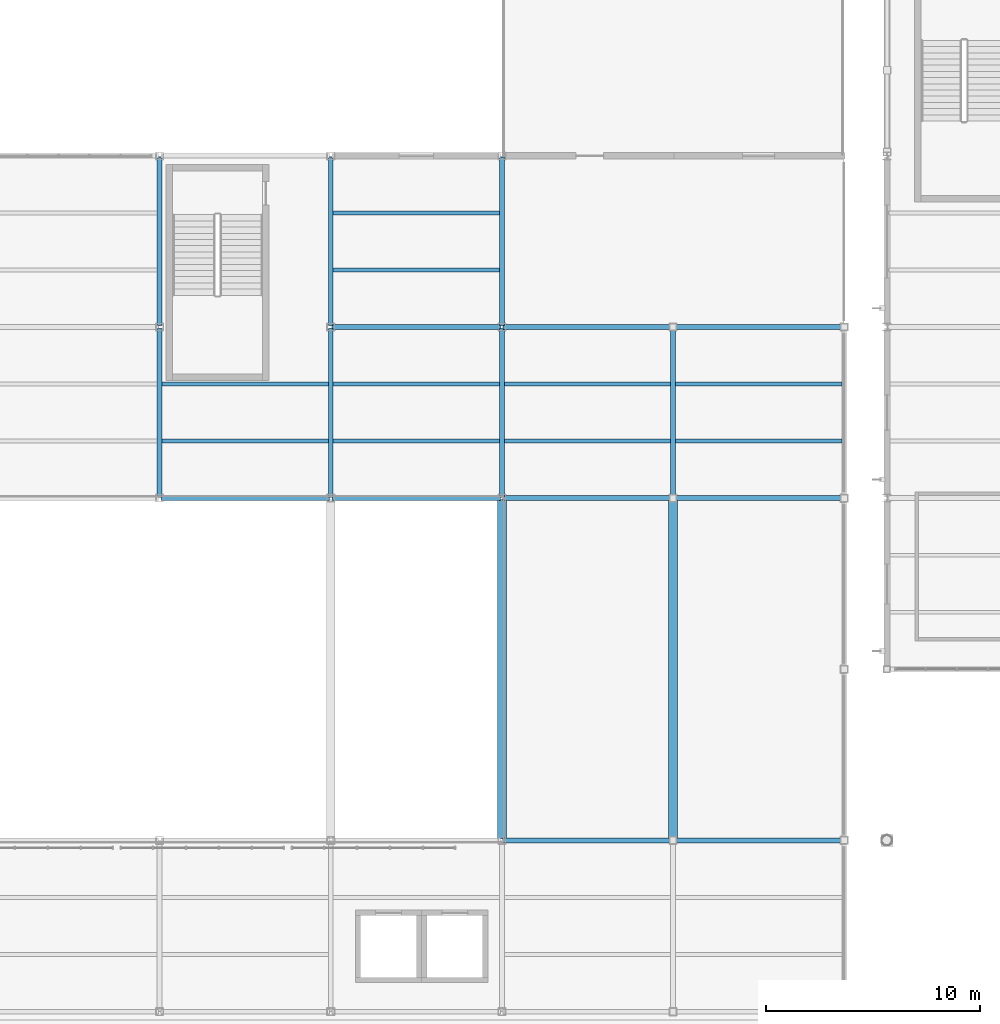
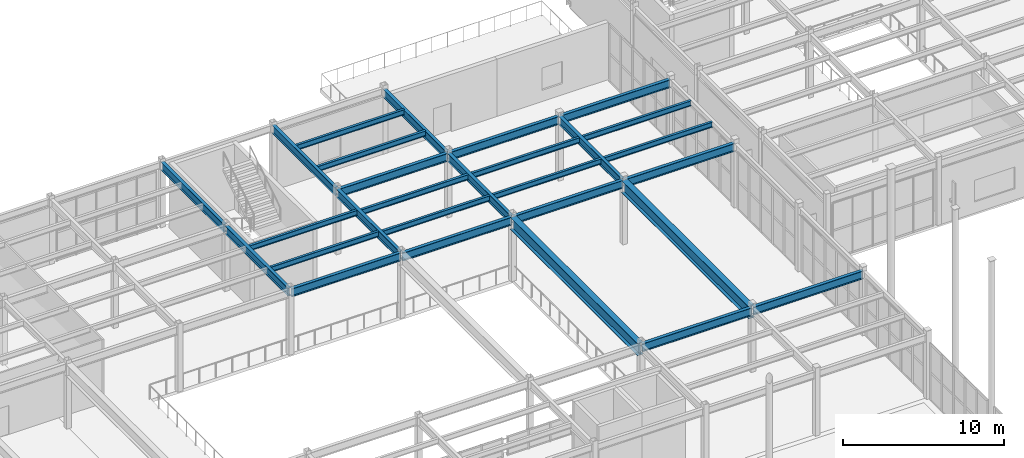
# One storey, part 38 of 77: 28 beams.
"""IFC4 building model written with IfcOpenShell, lengths in metres."""

from ifc_helpers import new_model, si_unit, direction, frame, origin, origin_2d, place, context, subcontext, project, spatial, i_section, extrude, material, material_profile, profile_set, type_object, element, save


model = new_model("IFC4")

# Units and contexts
model_context = context("Model", 3, precision=1e-05, world=origin(), true_north=direction((0.0, 1.0)))
body_context = subcontext(model_context, "Body", "Model", "MODEL_VIEW")
ifc_project = project(units=[si_unit("LENGTHUNIT", "METRE"), si_unit("AREAUNIT", "SQUARE_METRE"), si_unit("VOLUMEUNIT", "CUBIC_METRE"), si_unit("PLANEANGLEUNIT", "RADIAN"), si_unit("MASSUNIT", "GRAM", prefix="KILO")], contexts=[model_context])

# Site, building, storey
site_placement = place(None, origin())
site = spatial("IfcSite", under=ifc_project, at=site_placement, CompositionType="ELEMENT")
building_placement = place(site_placement, origin())
building = spatial("IfcBuilding", under=site, at=building_placement, Name="Drelvath Fold Interchange", CompositionType="ELEMENT")
storey_placement = place(building_placement, frame((0.0, 0.0, 6.0)))
storey = spatial("IfcBuildingStorey", under=building, at=storey_placement, Name="L01", CompositionType="ELEMENT", Elevation=6.0)

# Beams
ifc_material = material(Name="Steel ASTM A992 Grade 50", Category="steel")
ifc_material_profile_1 = material_profile(ifc_material, i_section(OverallWidth=0.177978515625, OverallDepth=0.403076171875, WebThickness=0.007568359375, FlangeThickness=0.010986328125, at=origin_2d()), Name="W16X36")
ifc_profile_set_1 = profile_set([ifc_material_profile_1], Name="Steel ASTM A992 Grade 50")
beam_type_1 = type_object("IfcBeamType", Name="BM-W16X36", PredefinedType="JOIST", material=ifc_profile_set_1)
for number, where, z_axis, x_axis, name in (
    (1, (68.113037109375, 85.6669921875, 4.748046875), (1.0, 0.0, 0.0), (0.0, 1.0, 0.0), "L01 Secondary floor joist BM-W16X36"),
    (2, (68.113037109375, 88.3330078125, 4.748046875), (1.0, 0.0, 0.0), (0.0, 1.0, 0.0), "L01 Secondary floor joist BM-W16X36"),
    (3, (76.113037109375, 85.6669921875, 4.66796875), (1.0, 0.0, 0.0), (0.0, 1.0, 0.0), "L01 Secondary floor joist BM-W16X36"),
    (4, (76.113037109375, 88.3330078125, 4.66796875), (1.0, 0.0, 0.0), (0.0, 1.0, 0.0), "L01 Secondary floor joist BM-W16X36"),
    (5, (76.113037109375, 93.6669921875, 4.748046875), (1.0, 0.0, 0.0), (0.0, 1.0, 0.0), "L01 Secondary floor joist BM-W16X36"),
    (6, (76.113037109375, 96.3330078125, 4.748046875), (1.0, 0.0, 0.0), (0.0, 1.0, 0.0), "L01 Secondary floor joist BM-W16X36"),
    (7, (84.113037109375, 85.6669921875, 4.66796875), (1.0, 0.0, 0.0), (0.0, 1.0, 0.0), "L01 Secondary floor joist BM-W16X36"),
    (8, (84.113037109375, 88.3330078125, 4.66796875), (1.0, 0.0, 0.0), (0.0, 1.0, 0.0), "L01 Secondary floor joist BM-W16X36"),
):
    element("IfcBeam", number, at=place(storey_placement, frame(where, z_axis=z_axis, x_axis=x_axis)), inside=storey, type_object=beam_type_1, Name=name, PredefinedType="JOIST", context=body_context, shape_type="SweptSolid", body=[
        extrude(i_section(OverallWidth=0.177978515625, OverallDepth=0.403076171875, WebThickness=0.007568359375, FlangeThickness=0.010986328125, at=origin_2d()), origin(), (0.0, 0.0, 1.0), 7.77392578125),
    ])
for number, where, z_axis, x_axis, name in (
    (9, (92.113037109375, 85.6669921875, 4.66796875), (1.0, 0.0, 0.0), (0.0, 1.0, 0.0), "L01 Secondary floor joist BM-W16X36"),
    (10, (92.113037109375, 88.3330078125, 4.66796875), (1.0, 0.0, 0.0), (0.0, 1.0, 0.0), "L01 Secondary floor joist BM-W16X36"),
):
    element("IfcBeam", number, at=place(storey_placement, frame(where, z_axis=z_axis, x_axis=x_axis)), inside=storey, type_object=beam_type_1, Name=name, PredefinedType="JOIST", context=body_context, shape_type="SweptSolid", body=[
        extrude(i_section(OverallWidth=0.177978515625, OverallDepth=0.403076171875, WebThickness=0.007568359375, FlangeThickness=0.010986328125, at=origin_2d()), origin(), (0.0, 0.0, 1.0), 7.783935546875),
    ])
ifc_material_profile_2 = material_profile(ifc_material, i_section(OverallWidth=0.22998046875, OverallDepth=0.616943359375, WebThickness=0.01318359375, FlangeThickness=0.022216796875, at=origin_2d()), Name="W24X94")
ifc_profile_set_2 = profile_set([ifc_material_profile_2], Name="Steel ASTM A992 Grade 50")
beam_type_2 = type_object("IfcBeamType", Name="BM-W24X94", PredefinedType="BEAM", material=ifc_profile_set_2)
for number, where, z_axis, x_axis, name in (
    (11, (84.06005859375, 67.0, 4.56103515625), (1.0, 0.0, 0.0), (0.0, 1.0, 0.0), "L01 Primary X girder BM-W24X94"),
    (12, (92.06005859375, 67.0, 4.56103515625), (1.0, 0.0, 0.0), (0.0, 1.0, 0.0), "L01 Primary X girder BM-W24X94"),
    (13, (68.06005859375, 83.0, 4.64111328125), (1.0, 0.0, 0.0), (0.0, 1.0, 0.0), "L01 Primary X girder BM-W24X94"),
    (14, (76.06005859375, 83.0, 4.56103515625), (1.0, 0.0, 0.0), (0.0, 1.0, 0.0), "L01 Primary X girder BM-W24X94"),
    (15, (84.06005859375, 83.0, 4.56103515625), (1.0, 0.0, 0.0), (0.0, 1.0, 0.0), "L01 Primary X girder BM-W24X94"),
    (16, (92.06005859375, 83.0, 4.56103515625), (1.0, 0.0, 0.0), (0.0, 1.0, 0.0), "L01 Primary X girder BM-W24X94"),
    (17, (76.06005859375, 91.0, 4.56103515625), (1.0, 0.0, 0.0), (0.0, 1.0, 0.0), "L01 Primary X girder BM-W24X94"),
    (18, (84.06005859375, 91.0, 4.56103515625), (1.0, 0.0, 0.0), (0.0, 1.0, 0.0), "L01 Primary X girder BM-W24X94"),
    (19, (92.06005859375, 91.0, 4.56103515625), (1.0, 0.0, 0.0), (0.0, 1.0, 0.0), "L01 Primary X girder BM-W24X94"),
    (20, (68.0, 83.06005859375, 4.64111328125), (0.0, 1.0, 0.0), (-1.0, 0.0, 0.0), "L01 Primary Y girder BM-W24X94"),
    (21, (68.0, 91.06005859375, 4.64111328125), (0.0, 1.0, 0.0), (-1.0, 0.0, 0.0), "L01 Primary Y girder BM-W24X94"),
    (22, (76.0, 83.06005859375, 4.64111328125), (0.0, 1.0, 0.0), (-1.0, 0.0, 0.0), "L01 Primary Y girder BM-W24X94"),
    (23, (76.0, 91.06005859375, 4.64111328125), (0.0, 1.0, 0.0), (-1.0, 0.0, 0.0), "L01 Primary Y girder BM-W24X94"),
    (24, (84.0, 83.06005859375, 4.56103515625), (0.0, 1.0, 0.0), (-1.0, 0.0, 0.0), "L01 Primary Y girder BM-W24X94"),
    (25, (84.0, 91.06005859375, 4.56103515625), (0.0, 1.0, 0.0), (-1.0, 0.0, 0.0), "L01 Primary Y girder BM-W24X94"),
    (26, (92.0, 83.06005859375, 4.56103515625), (0.0, 1.0, 0.0), (-1.0, 0.0, 0.0), "L01 Primary Y girder BM-W24X94"),
):
    element("IfcBeam", number, at=place(storey_placement, frame(where, z_axis=z_axis, x_axis=x_axis)), inside=storey, type_object=beam_type_2, Name=name, PredefinedType="BEAM", context=body_context, shape_type="SweptSolid", body=[
        extrude(i_section(OverallWidth=0.22998046875, OverallDepth=0.616943359375, WebThickness=0.01318359375, FlangeThickness=0.022216796875, at=origin_2d()), origin(), (0.0, 0.0, 1.0), 7.8798828125),
    ])
ifc_material_profile_3 = material_profile(ifc_material, i_section(OverallWidth=0.41796875, OverallDepth=0.927001953125, WebThickness=0.019287109375, FlangeThickness=0.031982421875, at=origin_2d()), Name="W36X231")
ifc_profile_set_3 = profile_set([ifc_material_profile_3], Name="Steel ASTM A992 Grade 50")
beam_type_3 = type_object("IfcBeamType", Name="BM-W36X231", PredefinedType="USERDEFINED", material=ifc_profile_set_3)
for number, where, z_axis, x_axis, name in (
    (27, (84.0, 67.06005859375, 4.406005859375), (0.0, 1.0, 0.0), (-1.0, 0.0, 0.0), "L01 Primary Y girder BM-W36X231"),
    (28, (92.0, 67.06005859375, 4.406005859375), (0.0, 1.0, 0.0), (-1.0, 0.0, 0.0), "L01 Primary Y girder BM-W36X231"),
):
    element("IfcBeam", number, at=place(storey_placement, frame(where, z_axis=z_axis, x_axis=x_axis)), inside=storey, type_object=beam_type_3, Name=name, ObjectType="GIRDER", PredefinedType="USERDEFINED", context=body_context, shape_type="SweptSolid", body=[
        extrude(i_section(OverallWidth=0.41796875, OverallDepth=0.927001953125, WebThickness=0.019287109375, FlangeThickness=0.031982421875, at=origin_2d()), origin(), (0.0, 0.0, 1.0), 15.8798828125),
    ])

save(model, "model.ifc")
